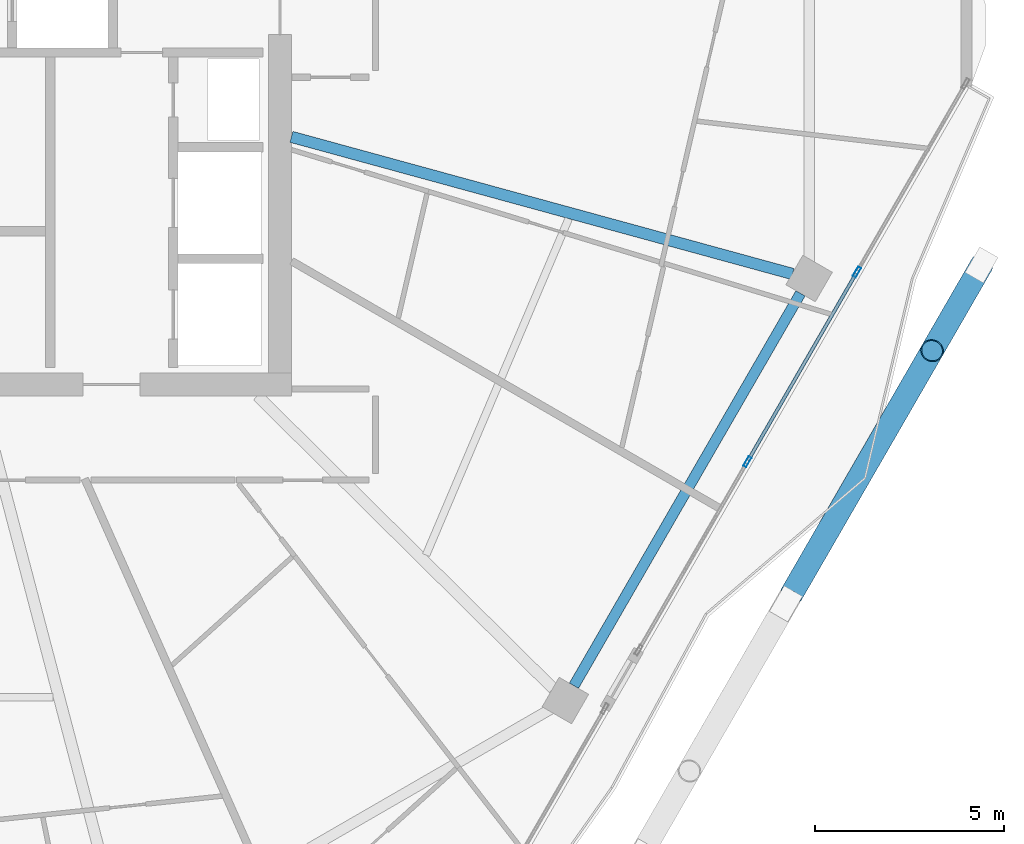
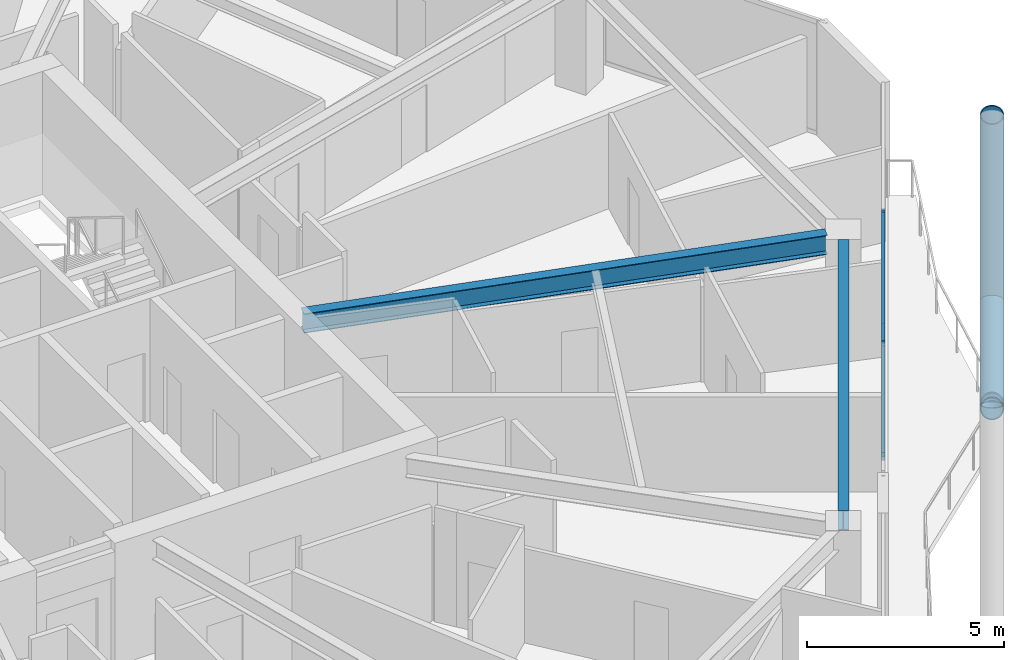
# One storey, part 10 of 29: 6 members, 2 beams, 1 element without a shape of its own.
"""IFC4 building model written with IfcOpenShell, lengths in metres."""

from ifc_helpers import new_model, si_unit, direction, frame, origin, origin_2d, place, context, subcontext, project, spatial, hollow_rectangle, hollow_circle, i_section, extrude, material, material_profile, profile_set, type_object, element, aggregate, save


model = new_model("IFC4")

# Units and contexts
model_context = context("Model", 3, precision=1e-05, world=origin(), true_north=direction((0.0, 1.0)))
body_context = subcontext(model_context, "Body", "Model", "MODEL_VIEW")
ifc_project = project(units=[si_unit("LENGTHUNIT", "METRE"), si_unit("AREAUNIT", "SQUARE_METRE"), si_unit("VOLUMEUNIT", "CUBIC_METRE"), si_unit("PLANEANGLEUNIT", "RADIAN"), si_unit("MASSUNIT", "GRAM", prefix="KILO")], contexts=[model_context])

# Site, building, storey
site_placement = place(None, origin())
site = spatial("IfcSite", under=ifc_project, at=site_placement, CompositionType="ELEMENT")
building_placement = place(site_placement, origin())
building = spatial("IfcBuilding", under=site, at=building_placement, Name="Zuhravey Tower", CompositionType="ELEMENT")
storey_placement = place(building_placement, frame((0.0, 0.0, 246.39990234375)))
storey = spatial("IfcBuildingStorey", under=building, at=storey_placement, Name="L62", CompositionType="ELEMENT", Elevation=246.39990234375)

# Curtain wall, members
ifc_material_1 = material(Name="Thermally broken anodised aluminium", Category="aluminium")
curtain_wall_type = type_object("IfcCurtainWallType", Name="Zone 3-4 High-Rise Curtain Wall CW4", PredefinedType="NOTDEFINED", material=ifc_material_1)
curtain_wall_placement = place(storey_placement, origin())
curtain_wall = element("IfcCurtainWall", 1, at=curtain_wall_placement, inside=storey, type_object=curtain_wall_type, Name="L62 CW4 CW-L62-F6-1", PredefinedType="NOTDEFINED")
ifc_material_2 = material(Name="Anodised aluminium", Category="aluminium")
ifc_material_profile_1 = material_profile(ifc_material_2, hollow_rectangle(XDim=0.090087890625, YDim=0.284912109375, WallThickness=0.0048828125, at=origin_2d()), Name="ALU-RHS-90x285x5")
ifc_profile_set_1 = profile_set([ifc_material_profile_1], Name="Anodised aluminium")
member_type_1 = type_object("IfcMemberType", Name="Curtain-Wall Mullion 90x180", PredefinedType="MULLION", material=ifc_profile_set_1)
member_1_placement = place(storey_placement, frame((61.749267578125, 25.4716796875, 0.0), z_axis=(0.0, 0.0, 1.0), x_axis=(0.866025913193, -0.499999117677, 0.0)))
member_1 = element("IfcMember", 2, at=member_1_placement, type_object=member_type_1, Name="CW4 mullion 2", PredefinedType="MULLION", context=body_context, shape_type="SweptSolid", body=[
    extrude(hollow_rectangle(XDim=0.090087890625, YDim=0.284912109375, WallThickness=0.0048828125, at=origin_2d()), origin(), (0.0, 0.0, 1.0), 3.550048828125),
])
member_2_placement = place(storey_placement, frame((58.853271484375, 20.455810546875, 0.0), z_axis=(0.0, 0.0, 1.0), x_axis=(0.866025913193, -0.499999117677, 0.0)))
member_2 = element("IfcMember", 3, at=member_2_placement, type_object=member_type_1, Name="CW4 mullion 3", PredefinedType="MULLION", context=body_context, shape_type="SweptSolid", body=[
    extrude(hollow_rectangle(XDim=0.090087890625, YDim=0.284912109375, WallThickness=0.0048828125, at=origin_2d()), origin(), (0.0, 0.0, 1.0), 3.550048828125),
])
ifc_material_profile_2 = material_profile(ifc_material_2, hollow_rectangle(XDim=0.090087890625, YDim=0.14990234375, WallThickness=0.0048828125, at=origin_2d()), Name="ALU-RHS-90x150x5")
ifc_profile_set_2 = profile_set([ifc_material_profile_2], Name="Anodised aluminium")
member_type_2 = type_object("IfcMemberType", Name="Curtain-Wall Transom 90x150", PredefinedType="USERDEFINED", material=ifc_profile_set_2)
member_3_placement = place(storey_placement, frame((61.726806640625, 25.4326171875, 0.045166015625), z_axis=(-0.500002916184, -0.866023720118, 0.0), x_axis=(0.866023720118, -0.500002916184, 0.0)))
member_3 = element("IfcMember", 4, at=member_3_placement, type_object=member_type_2, Name="CW4 transom 2.1", ObjectType="TRANSOM", PredefinedType="USERDEFINED", context=body_context, shape_type="SweptSolid", body=[
    extrude(hollow_rectangle(XDim=0.090087890625, YDim=0.14990234375, WallThickness=0.0048828125, at=origin_2d()), origin(), (0.0, 0.0, 1.0), 5.70166015625),
])
member_4_placement = place(storey_placement, frame((61.726806640625, 25.4326171875, 3.505126953125), z_axis=(-0.500002916184, -0.866023720118, 0.0), x_axis=(0.866023720118, -0.500002916184, 0.0)))
member_4 = element("IfcMember", 5, at=member_4_placement, type_object=member_type_2, Name="CW4 transom 2.2", ObjectType="TRANSOM", PredefinedType="USERDEFINED", context=body_context, shape_type="SweptSolid", body=[
    extrude(hollow_rectangle(XDim=0.090087890625, YDim=0.14990234375, WallThickness=0.0048828125, at=origin_2d()), origin(), (0.0, 0.0, 1.0), 5.70166015625),
])
aggregate(curtain_wall, [member_1, member_2, member_3, member_4])

# Members
ifc_material_3 = material(Name="Steel SM355", Category="steel")
ifc_material_profile_3 = material_profile(ifc_material_3, hollow_circle(Radius=0.3046875, WallThickness=0.028076171875, at=origin_2d()), Name="CHS-609.6x28")
ifc_profile_set_3 = profile_set([ifc_material_profile_3], Name="Steel SM355")
member_type_3 = type_object("IfcMemberType", Name="Exoskeleton Zone 3 Diagrid CHS610x28", PredefinedType="BRACE", material=ifc_profile_set_3)
member_5_placement = place(storey_placement, frame((65.040283203125, 25.652099609375, -0.44580078125), z_axis=(-0.163030622365, -0.282366718953, 0.945351813982), x_axis=(0.866017274468, -0.500014080125, 0.0)))
element("IfcMember", 6, at=member_5_placement, inside=storey, type_object=member_type_3, Name="L62 Face 6 Diagrid Brace 4", PredefinedType="BRACE", context=body_context, shape_type="SweptSolid", body=[
    extrude(hollow_circle(Radius=0.3046875, WallThickness=0.028076171875, at=origin_2d()), origin(), (0.0, 0.0, 1.0), 8.001220703125),
])
member_6_placement = place(storey_placement, frame((65.024169921875, 25.624267578125, -0.449951171875), z_axis=(-0.46931500649, -0.812854505639, 0.344979676714), x_axis=(0.866019296191, -0.500010578514, 0.0)))
element("IfcMember", 7, at=member_6_placement, inside=storey, type_object=member_type_3, Name="L62 Face 6 Split Diagrid Brace 3A", PredefinedType="BRACE", context=body_context, shape_type="SweptSolid", body=[
    extrude(hollow_circle(Radius=0.3046875, WallThickness=0.028076171875, at=origin_2d()), origin(), (0.0, 0.0, 1.0), 10.679931640625),
])

# Beams
ifc_material_profile_4 = material_profile(ifc_material_3, i_section(OverallWidth=0.280029296875, OverallDepth=0.6201171875, WebThickness=0.011962890625, FlangeThickness=0.02001953125, at=origin_2d()), Name="H-620x280x12x20")
ifc_profile_set_4 = profile_set([ifc_material_profile_4], Name="Steel SM355")
beam_type_1 = type_object("IfcBeamType", Name="Perimeter Ring Beam H620x280", PredefinedType="BEAM", material=ifc_profile_set_4)
beam_1_placement = place(storey_placement, frame((54.27001953125, 14.53759765625, 3.239990234375), z_axis=(0.500017744717, 0.866015158625, 0.0), x_axis=(-0.866015158625, 0.500017744717, 0.0)))
element("IfcBeam", 8, at=beam_1_placement, inside=storey, type_object=beam_type_1, Name="L62 PB3 BM-L62-PB-11", PredefinedType="BEAM", context=body_context, shape_type="SweptSolid", body=[
    extrude(i_section(OverallWidth=0.280029296875, OverallDepth=0.6201171875, WebThickness=0.011962890625, FlangeThickness=0.02001953125, at=origin_2d()), origin(), (0.0, 0.0, 1.0), 11.9755859375),
])
ifc_material_profile_5 = material_profile(ifc_material_3, i_section(OverallWidth=0.300048828125, OverallDepth=0.60009765625, WebThickness=0.011962890625, FlangeThickness=0.02001953125, at=origin_2d()), Name="H-600x300x12x20")
ifc_profile_set_5 = profile_set([ifc_material_profile_5], Name="Steel SM355")
beam_type_2 = type_object("IfcBeamType", Name="Radial Primary Girder H600x300", PredefinedType="BEAM", material=ifc_profile_set_5)
beam_2_placement = place(storey_placement, frame((46.802978515625, 29.04443359375, 3.25), z_axis=(0.964548913045, -0.26390413855, 0.0), x_axis=(0.26390413855, 0.964548913045, 0.0)))
element("IfcBeam", 9, at=beam_2_placement, inside=storey, type_object=beam_type_2, Name="L62 RG3 BM-L62-RAD-12", PredefinedType="BEAM", context=body_context, shape_type="SweptSolid", body=[
    extrude(i_section(OverallWidth=0.300048828125, OverallDepth=0.60009765625, WebThickness=0.011962890625, FlangeThickness=0.02001953125, at=origin_2d()), origin(), (0.0, 0.0, 1.0), 13.7314453125),
])

save(model, "model.ifc")
